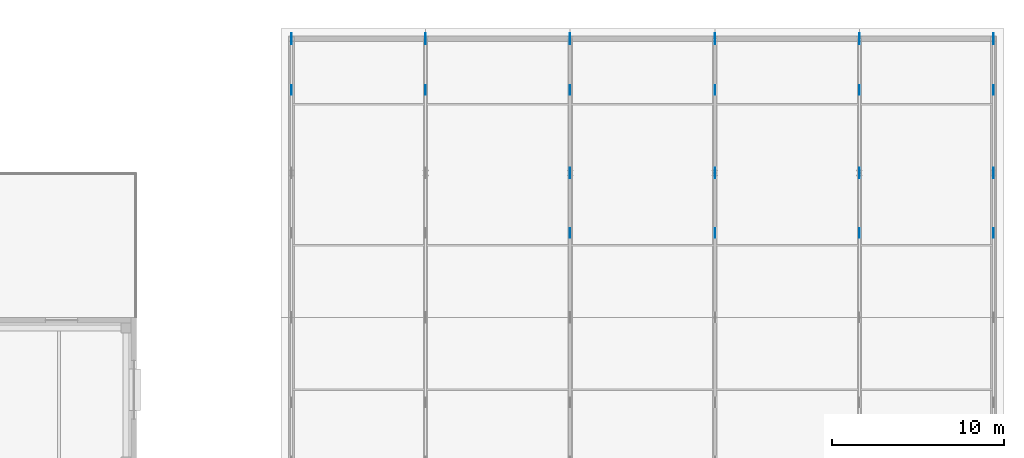
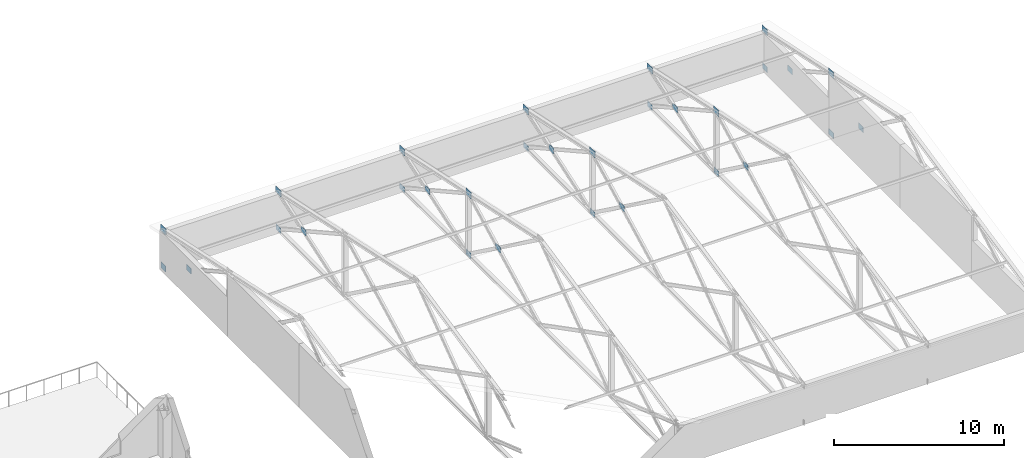
# One storey, part 101 of 123: 30 plates.
"""IFC4 building model written with IfcOpenShell, lengths in metres."""

from ifc_helpers import new_model, si_unit, direction, frame, origin, origin_2d, place, context, subcontext, project, spatial, rectangle, extrude, material, layer, layer_set, type_object, element, save


model = new_model("IFC4")

# Units and contexts
model_context = context("Model", 3, precision=1e-05, world=origin(), true_north=direction((0.0, 1.0)))
body_context = subcontext(model_context, "Body", "Model", "MODEL_VIEW")
ifc_project = project(units=[si_unit("LENGTHUNIT", "METRE"), si_unit("AREAUNIT", "SQUARE_METRE"), si_unit("VOLUMEUNIT", "CUBIC_METRE"), si_unit("PLANEANGLEUNIT", "RADIAN"), si_unit("MASSUNIT", "GRAM", prefix="KILO")], contexts=[model_context])

# Site, building, storey
site_placement = place(None, origin())
site = spatial("IfcSite", under=ifc_project, at=site_placement, CompositionType="ELEMENT")
building_placement = place(site_placement, origin())
building = spatial("IfcBuilding", under=site, at=building_placement, Name="Zayran Congress Hotel", CompositionType="ELEMENT")
storey_placement = place(building_placement, frame((0.0, 0.0, 15.0)))
storey = spatial("IfcBuildingStorey", under=building, at=storey_placement, Name="L03", CompositionType="ELEMENT", Elevation=15.0)

# Plates
ifc_material = material(Name="Steel S355", Category="steel")
ifc_layer_1 = layer(ifc_material, 0.02490234375)
ifc_layer_set_1 = layer_set([ifc_layer_1], Name="Steel S355")
plate_type_1 = type_object("IfcPlateType", Name="TP-GS-01", PredefinedType="USERDEFINED", material=ifc_layer_set_1)
for number, where, z_axis, x_axis, name in (
    (1, (143.39990234375, 117.39990234375, -0.199951171875), (0.0, 0.0, 1.0), (0.0, 1.0, 0.0), "V2 Truss Node Gusset Plate 96"),
    (2, (143.39990234375, 114.422119140625, 1.455322265625), (0.0, 0.0, 1.0), (0.0, 1.0, 0.0), "V2 Brace Crossing Gusset Plate 101"),
    (3, (151.199951171875, 117.39990234375, -0.199951171875), (0.0, 0.0, 1.0), (0.0, 1.0, 0.0), "V2 Truss Node Gusset Plate 109"),
    (4, (151.199951171875, 114.422119140625, 1.455322265625), (0.0, 0.0, 1.0), (0.0, 1.0, 0.0), "V2 Brace Crossing Gusset Plate 114"),
    (5, (159.60009765625, 109.60009765625, -0.199951171875), (0.0, 0.0, 1.0), (0.0, 1.0, 0.0), "V2 Truss Node Gusset Plate 120"),
    (6, (159.60009765625, 117.39990234375, -0.199951171875), (0.0, 0.0, 1.0), (0.0, 1.0, 0.0), "V2 Truss Node Gusset Plate 122"),
    (7, (159.60009765625, 106.1171875, 2.337890625), (0.0, 0.0, 1.0), (0.0, 1.0, 0.0), "V2 Brace Crossing Gusset Plate 126"),
    (8, (159.60009765625, 114.422119140625, 1.455322265625), (0.0, 0.0, 1.0), (0.0, 1.0, 0.0), "V2 Brace Crossing Gusset Plate 127"),
    (9, (168.0, 109.60009765625, -0.199951171875), (0.0, 0.0, 1.0), (0.0, 1.0, 0.0), "V2 Truss Node Gusset Plate 133"),
    (10, (168.0, 117.39990234375, -0.199951171875), (0.0, 0.0, 1.0), (0.0, 1.0, 0.0), "V2 Truss Node Gusset Plate 135"),
    (11, (168.0, 106.1171875, 2.337890625), (0.0, 0.0, 1.0), (0.0, 1.0, 0.0), "V2 Brace Crossing Gusset Plate 139"),
    (12, (168.0, 114.422119140625, 1.455322265625), (0.0, 0.0, 1.0), (0.0, 1.0, 0.0), "V2 Brace Crossing Gusset Plate 140"),
    (13, (176.39990234375, 109.60009765625, -0.199951171875), (0.0, 0.0, 1.0), (0.0, 1.0, 0.0), "V2 Truss Node Gusset Plate 146"),
    (14, (176.39990234375, 117.39990234375, -0.199951171875), (0.0, 0.0, 1.0), (0.0, 1.0, 0.0), "V2 Truss Node Gusset Plate 148"),
    (15, (176.39990234375, 106.1171875, 2.337890625), (0.0, 0.0, 1.0), (0.0, 1.0, 0.0), "V2 Brace Crossing Gusset Plate 152"),
    (16, (176.39990234375, 114.422119140625, 1.455322265625), (0.0, 0.0, 1.0), (0.0, 1.0, 0.0), "V2 Brace Crossing Gusset Plate 153"),
    (17, (184.199951171875, 109.60009765625, -0.199951171875), (0.0, 0.0, 1.0), (0.0, 1.0, 0.0), "V2 Truss Node Gusset Plate 159"),
    (18, (184.199951171875, 117.39990234375, -0.199951171875), (0.0, 0.0, 1.0), (0.0, 1.0, 0.0), "V2 Truss Node Gusset Plate 161"),
    (19, (184.199951171875, 106.1171875, 2.337890625), (0.0, 0.0, 1.0), (0.0, 1.0, 0.0), "V2 Brace Crossing Gusset Plate 165"),
    (20, (184.199951171875, 114.422119140625, 1.455322265625), (0.0, 0.0, 1.0), (0.0, 1.0, 0.0), "V2 Brace Crossing Gusset Plate 166"),
):
    element("IfcPlate", number, at=place(storey_placement, frame(where, z_axis=z_axis, x_axis=x_axis)), inside=storey, type_object=plate_type_1, Name=name, ObjectType="GUSSET_PLATE", PredefinedType="USERDEFINED", context=body_context, shape_type="SweptSolid", body=[
        extrude(rectangle(XDim=0.550048828125, YDim=0.02490234375, at=origin_2d()), origin(), (0.0, 0.0, 1.0), 0.39990234375),
    ])
ifc_layer_2 = layer(ifc_material, 0.030029296875)
ifc_layer_set_2 = layer_set([ifc_layer_2], Name="Steel S355")
plate_type_2 = type_object("IfcPlateType", Name="TP-GS-03", PredefinedType="USERDEFINED", material=ifc_layer_set_2)
for number, where, z_axis, x_axis, name in (
    (21, (143.39990234375, 117.39990234375, 2.45751953125), (0.0, 0.0, 1.0), (0.0, 1.0, 0.0), "V2 Truss Node Gusset Plate 97"),
    (22, (151.199951171875, 117.39990234375, 2.45751953125), (0.0, 0.0, 1.0), (0.0, 1.0, 0.0), "V2 Truss Node Gusset Plate 110"),
    (23, (159.60009765625, 109.60009765625, 4.115478515625), (0.0, 0.0, 1.0), (0.0, 1.0, 0.0), "V2 Truss Node Gusset Plate 121"),
    (24, (159.60009765625, 117.39990234375, 2.45751953125), (0.0, 0.0, 1.0), (0.0, 1.0, 0.0), "V2 Truss Node Gusset Plate 123"),
    (25, (168.0, 109.60009765625, 4.115478515625), (0.0, 0.0, 1.0), (0.0, 1.0, 0.0), "V2 Truss Node Gusset Plate 134"),
    (26, (168.0, 117.39990234375, 2.45751953125), (0.0, 0.0, 1.0), (0.0, 1.0, 0.0), "V2 Truss Node Gusset Plate 136"),
    (27, (176.39990234375, 109.60009765625, 4.115478515625), (0.0, 0.0, 1.0), (0.0, 1.0, 0.0), "V2 Truss Node Gusset Plate 147"),
    (28, (176.39990234375, 117.39990234375, 2.45751953125), (0.0, 0.0, 1.0), (0.0, 1.0, 0.0), "V2 Truss Node Gusset Plate 149"),
    (29, (184.199951171875, 109.60009765625, 4.115478515625), (0.0, 0.0, 1.0), (0.0, 1.0, 0.0), "V2 Truss Node Gusset Plate 160"),
    (30, (184.199951171875, 117.39990234375, 2.45751953125), (0.0, 0.0, 1.0), (0.0, 1.0, 0.0), "V2 Truss Node Gusset Plate 162"),
):
    element("IfcPlate", number, at=place(storey_placement, frame(where, z_axis=z_axis, x_axis=x_axis)), inside=storey, type_object=plate_type_2, Name=name, ObjectType="GUSSET_PLATE", PredefinedType="USERDEFINED", context=body_context, shape_type="SweptSolid", body=[
        extrude(rectangle(XDim=0.6201171875, YDim=0.030029296875, at=origin_2d()), origin(), (0.0, 0.0, 1.0), 0.43994140625),
    ])

save(model, "model.ifc")
